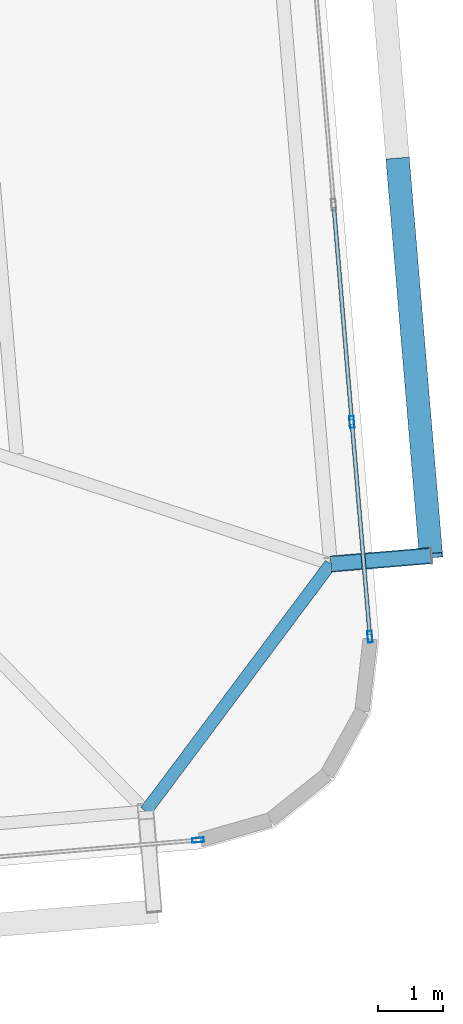
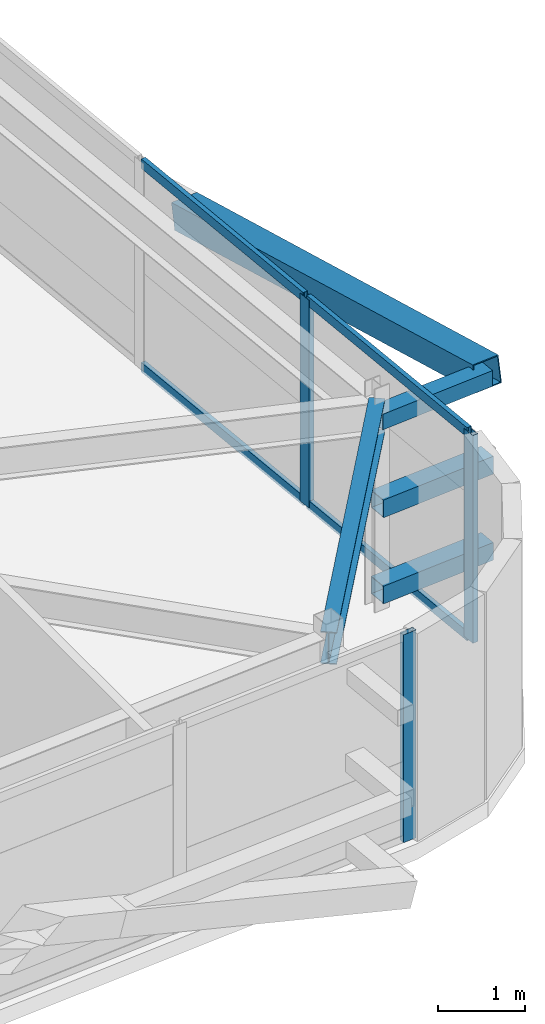
# One storey, part 22 of 46: 11 members, 1 beam, 2 elements without a shape of their own.
"""IFC4 building model written with IfcOpenShell, lengths in metres."""

from ifc_helpers import new_model, si_unit, direction, frame, origin, origin_2d, place, context, subcontext, project, spatial, hollow_rectangle, i_section, extrude, source, transform, mapped, material, layer, layer_set, material_profile, profile_set, type_object, element, aggregate, save


model = new_model("IFC4")

# Units and contexts
model_context = context("Model", 3, precision=1e-05, world=origin(), true_north=direction((0.0, 1.0)))
body_context = subcontext(model_context, "Body", "Model", "MODEL_VIEW")
ifc_project = project(units=[si_unit("LENGTHUNIT", "METRE"), si_unit("AREAUNIT", "SQUARE_METRE"), si_unit("VOLUMEUNIT", "CUBIC_METRE"), si_unit("PLANEANGLEUNIT", "RADIAN"), si_unit("MASSUNIT", "GRAM", prefix="KILO")], contexts=[model_context])

# Site, building, storey
site_placement = place(None, origin())
site = spatial("IfcSite", under=ifc_project, at=site_placement, CompositionType="ELEMENT")
building_placement = place(site_placement, origin())
building = spatial("IfcBuilding", under=site, at=building_placement, Name="Taldren Reach Tower", CompositionType="ELEMENT")
storey_placement = place(building_placement, frame((0.0, 0.0, 194.60009765625)))
storey = spatial("IfcBuildingStorey", under=building, at=storey_placement, Name="L59", CompositionType="ELEMENT", Elevation=194.60009765625)

# Beam
ifc_material_1 = material(Name="Steel Gr 350 (350PLUS)", Category="steel")
ifc_material_profile_1 = material_profile(ifc_material_1, i_section(OverallWidth=0.18994140625, OverallDepth=0.4541015625, WebThickness=0.008544921875, FlangeThickness=0.0126953125, at=origin_2d()), Name="460UB67.1")
ifc_profile_set_1 = profile_set([ifc_material_profile_1], Name="Steel Gr 350 (350PLUS)")
beam_type = type_object("IfcBeamType", Name="SP-UB460B", PredefinedType="SPANDREL", material=ifc_profile_set_1)
shared_shape_1 = source(origin(), body_context, "Body", "SweptSolid", [
    extrude(i_section(OverallWidth=0.18994140625, OverallDepth=0.4541015625, WebThickness=0.008544921875, FlangeThickness=0.0126953125, at=origin_2d()), origin(), (0.0, 0.0, 1.0), 4.746337890625),
])
beam_placement = place(storey_placement, frame((58.796142578125, 5.516357421875, 2.702880859375), z_axis=(0.598797715541, 0.800900303323, 0.0), x_axis=(-0.800900303323, 0.598797715541, 0.0)))
element("IfcBeam", 1, at=beam_placement, inside=storey, type_object=beam_type, Name="Perimeter spandrel B4 S6-E1 L59", PredefinedType="SPANDREL", context=body_context, shape_type="MappedRepresentation", body=[
    mapped(shared_shape_1, transform((0.0, 0.0, 0.0), scale=1.0)),
])

# Members
ifc_material_2 = material(Name="Steel Gr 450 (C450L0)", Category="steel")
ifc_material_profile_2 = material_profile(ifc_material_2, hollow_rectangle(XDim=0.219970703125, YDim=0.219970703125, WallThickness=0.00830078125, at=origin_2d()), Name="220x220x8.2SHS")
ifc_profile_set_2 = profile_set([ifc_material_profile_2], Name="Steel Gr 450 (C450L0)")
member_type_1 = type_object("IfcMemberType", Name="MB-TIE219", PredefinedType="STRUT", material=ifc_profile_set_2)
shared_shape_2 = source(origin(), body_context, "Body", "SweptSolid", [
    extrude(hollow_rectangle(XDim=0.219970703125, YDim=0.219970703125, WallThickness=0.00830078125, at=origin_2d()), origin(), (0.0, 0.0, 1.0), 1.545166015625),
])
member_1_placement = place(storey_placement, frame((61.642822265625, 9.31787109375, 2.64990234375), z_axis=(0.996487766615, 0.083738467783, 0.0), x_axis=(-0.083738467783, 0.996487766615, 0.0)))
element("IfcMember", 2, at=member_1_placement, inside=storey, type_object=member_type_1, Name="Exoskeleton diaphragm tie strut B4-E1 L59", PredefinedType="STRUT", context=body_context, shape_type="MappedRepresentation", body=[
    mapped(shared_shape_2, transform((0.0, 0.0, 0.0), scale=1.0)),
])
ifc_material_3 = material(Name="Steel Gr 350 (C350L0)", Category="steel")
ifc_material_profile_3 = material_profile(ifc_material_3, hollow_rectangle(XDim=0.25, YDim=0.25, WallThickness=0.010009765625, at=origin_2d()), Name="250x250x10.0SHS")
ifc_profile_set_3 = profile_set([ifc_material_profile_3], Name="Steel Gr 350 (C350L0)")
member_type_2 = type_object("IfcMemberType", Name="MB-POST250", PredefinedType="POST", material=ifc_profile_set_3)
shared_shape_3 = source(origin(), body_context, "Body", "SweptSolid", [
    extrude(hollow_rectangle(XDim=0.25, YDim=0.25, WallThickness=0.010009765625, at=origin_2d()), origin(), (0.0, 0.0, 1.0), 1.545166015625),
])
for number, where, z_axis, x_axis, name in (
    (3, (61.642822265625, 9.31787109375, 0.219970703125), (0.996487766615, 0.083738467783, 0.0), (-0.083738467783, 0.996487766615, 0.0), "Exoskeleton base diaphragm tie strut B4-E1 L59"),
    (4, (61.642822265625, 9.31787109375, 1.434814453125), (0.996487766615, 0.083738467783, 0.0), (-0.083738467783, 0.996487766615, 0.0), "Exoskeleton mid-tier diaphragm tie B4-E1 L59"),
):
    element("IfcMember", number, at=place(storey_placement, frame(where, z_axis=z_axis, x_axis=x_axis)), inside=storey, type_object=member_type_2, Name=name, PredefinedType="POST", context=body_context, shape_type="MappedRepresentation", body=[
        mapped(shared_shape_3, transform((0.0, 0.0, 0.0), scale=1.0)),
    ])
ifc_material_profile_4 = material_profile(ifc_material_2, hollow_rectangle(XDim=0.360107421875, YDim=0.360107421875, WallThickness=0.0126953125, at=origin_2d()), Name="360x360x12.7SHS")
ifc_profile_set_4 = profile_set([ifc_material_profile_4], Name="Steel Gr 450 (C450L0)")
member_type_3 = type_object("IfcMemberType", Name="MB-EXO356", PredefinedType="BRACE", material=ifc_profile_set_4)
shared_shape_4 = source(origin(), body_context, "Body", "SweptSolid", [
    extrude(hollow_rectangle(XDim=0.360107421875, YDim=0.360107421875, WallThickness=0.0126953125, at=origin_2d()), origin(), (0.0, 0.0, 1.0), 6.219970703125),
])
member_2_placement = place(storey_placement, frame((62.672119140625, 15.52587890625, 1.434814453125), z_axis=(0.082075564879, -0.977291924611, 0.195356330179), x_axis=(0.996492003099, 0.083688038336, 0.0)))
element("IfcMember", 5, at=member_2_placement, inside=storey, type_object=member_type_3, Name="Exoskeleton Diagrid Brace B4-E1 L59", PredefinedType="BRACE", context=body_context, shape_type="MappedRepresentation", body=[
    mapped(shared_shape_4, transform((0.0, 0.0, 0.0), scale=1.0)),
])

# Curtain wall, member
ifc_material_4 = material(Name="Aluminium and Low-E Glass Unitised System", Category="aluminium")
ifc_layer = layer(ifc_material_4, 0.159912109375)
ifc_layer_set = layer_set([ifc_layer], Name="Aluminium and Low-E Glass Unitised System")
curtain_wall_type = type_object("IfcCurtainWallType", Name="CW-SYS-5", PredefinedType="NOTDEFINED", material=ifc_layer_set)
curtain_wall_1_placement = place(storey_placement, origin())
curtain_wall_1 = element("IfcCurtainWall", 6, at=curtain_wall_1_placement, inside=storey, type_object=curtain_wall_type, Name="Unitised curtain wall CW-L59-S", PredefinedType="NOTDEFINED")
ifc_material_5 = material(Name="Anodised Aluminium 6063-T6", Category="aluminium")
ifc_material_profile_5 = material_profile(ifc_material_5, hollow_rectangle(XDim=0.070068359375, YDim=0.179931640625, WallThickness=0.00390625, at=origin_2d()), Name="ALU-180x70x4RHS")
ifc_profile_set_5 = profile_set([ifc_material_profile_5], Name="Anodised Aluminium 6063-T6")
member_type_4 = type_object("IfcMemberType", Name="CW-MUL-180", PredefinedType="MULLION", material=ifc_profile_set_5)
shared_shape_5 = source(origin(), body_context, "Body", "SweptSolid", [
    extrude(hollow_rectangle(XDim=0.070068359375, YDim=0.179931640625, WallThickness=0.00390625, at=origin_2d()), origin(), (0.0, 0.0, 1.0), 2.929931640625),
])
member_3_placement = place(storey_placement, frame((59.60107421875, 5.072265625, 0.0), z_axis=(0.0, 0.0, 1.0), x_axis=(-0.083677894865, 0.996492854922, 0.0)))
member_3 = element("IfcMember", 7, at=member_3_placement, type_object=member_type_4, Name="CW-5 mullion 14", PredefinedType="MULLION", context=body_context, shape_type="MappedRepresentation", body=[
    mapped(shared_shape_5, transform((0.0, 0.0, 0.0), scale=1.0)),
])
aggregate(curtain_wall_1, [member_3])

# Curtain wall, members
curtain_wall_2_placement = place(storey_placement, origin())
curtain_wall_2 = element("IfcCurtainWall", 8, at=curtain_wall_2_placement, inside=storey, type_object=curtain_wall_type, Name="Unitised curtain wall CW-L59-E", PredefinedType="NOTDEFINED")
member_4_placement = place(storey_placement, frame((62.243896484375, 8.199462890625, 0.0), z_axis=(0.0, 0.0, 1.0), x_axis=(-0.996492847789, -0.083677979808, 0.0)))
member_4 = element("IfcMember", 9, at=member_4_placement, type_object=member_type_4, Name="CW-5 mullion 1", PredefinedType="MULLION", context=body_context, shape_type="MappedRepresentation", body=[
    mapped(shared_shape_5, transform((0.0, 0.0, 0.0), scale=1.0)),
])
member_5_placement = place(storey_placement, frame((61.96630859375, 11.502685546875, 0.0), z_axis=(0.0, 0.0, 1.0), x_axis=(-0.996492847789, -0.083677979808, 0.0)))
member_5 = element("IfcMember", 10, at=member_5_placement, type_object=member_type_4, Name="CW-5 mullion 2", PredefinedType="MULLION", context=body_context, shape_type="MappedRepresentation", body=[
    mapped(shared_shape_5, transform((0.0, 0.0, 0.0), scale=1.0)),
])
ifc_material_profile_6 = material_profile(ifc_material_5, hollow_rectangle(XDim=0.06005859375, YDim=0.135009765625, WallThickness=0.00341796875, at=origin_2d()), Name="ALU-135x60x3.5RHS")
ifc_profile_set_6 = profile_set([ifc_material_profile_6], Name="Anodised Aluminium 6063-T6")
member_type_5 = type_object("IfcMemberType", Name="CW-TRN-150", PredefinedType="USERDEFINED", material=ifc_profile_set_6)
shared_shape_6 = source(origin(), body_context, "Body", "SweptSolid", [
    extrude(hollow_rectangle(XDim=0.06005859375, YDim=0.135009765625, WallThickness=0.00341796875, at=origin_2d()), origin(), (0.0, 0.0, 1.0), 3.2451171875),
])
member_6_placement = place(storey_placement, frame((62.240966796875, 8.234130859375, 0.02978515625), z_axis=(-0.083736584401, 0.996487924881, 0.0), x_axis=(-0.996487924881, -0.083736584401, 0.0)))
member_6 = element("IfcMember", 11, at=member_6_placement, type_object=member_type_5, Name="CW-5 transom 1.1", ObjectType="TRANSOM", PredefinedType="USERDEFINED", context=body_context, shape_type="MappedRepresentation", body=[
    mapped(shared_shape_6, transform((0.0, 0.0, 0.0), scale=1.0)),
])
member_7_placement = place(storey_placement, frame((62.240966796875, 8.234130859375, 2.89990234375), z_axis=(-0.083736584401, 0.996487924881, 0.0), x_axis=(-0.996487924881, -0.083736584401, 0.0)))
member_7 = element("IfcMember", 12, at=member_7_placement, type_object=member_type_5, Name="CW-5 transom 1.2", ObjectType="TRANSOM", PredefinedType="USERDEFINED", context=body_context, shape_type="MappedRepresentation", body=[
    mapped(shared_shape_6, transform((0.0, 0.0, 0.0), scale=1.0)),
])
shared_shape_7 = source(origin(), body_context, "Body", "SweptSolid", [
    extrude(hollow_rectangle(XDim=0.06005859375, YDim=0.135009765625, WallThickness=0.00341796875, at=origin_2d()), origin(), (0.0, 0.0, 1.0), 3.280029296875),
])
member_8_placement = place(storey_placement, frame((61.96337890625, 11.53759765625, 0.02978515625), z_axis=(-0.083661452101, 0.996494235524, 0.0), x_axis=(-0.996494235524, -0.083661452101, 0.0)))
member_8 = element("IfcMember", 13, at=member_8_placement, type_object=member_type_5, Name="CW-5 transom 2.1", ObjectType="TRANSOM", PredefinedType="USERDEFINED", context=body_context, shape_type="MappedRepresentation", body=[
    mapped(shared_shape_7, transform((0.0, 0.0, 0.0), scale=1.0)),
])
member_9_placement = place(storey_placement, frame((61.96337890625, 11.53759765625, 2.89990234375), z_axis=(-0.083661452101, 0.996494235524, 0.0), x_axis=(-0.996494235524, -0.083661452101, 0.0)))
member_9 = element("IfcMember", 14, at=member_9_placement, type_object=member_type_5, Name="CW-5 transom 2.2", ObjectType="TRANSOM", PredefinedType="USERDEFINED", context=body_context, shape_type="MappedRepresentation", body=[
    mapped(shared_shape_7, transform((0.0, 0.0, 0.0), scale=1.0)),
])
aggregate(curtain_wall_2, [member_4, member_5, member_6, member_7, member_8, member_9])

save(model, "model.ifc")
